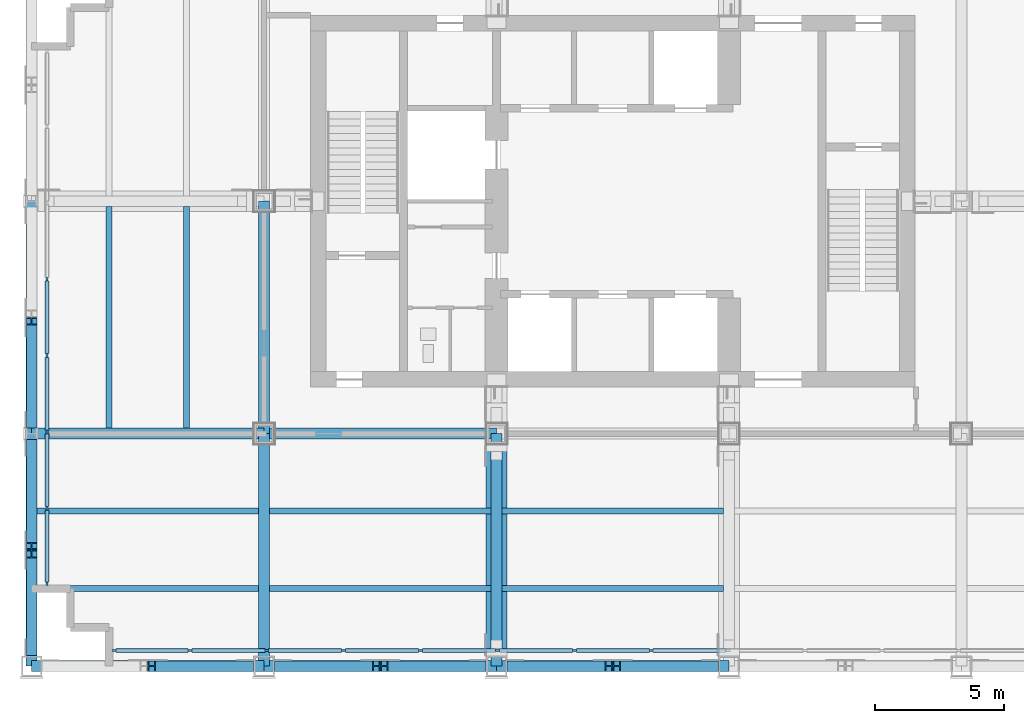
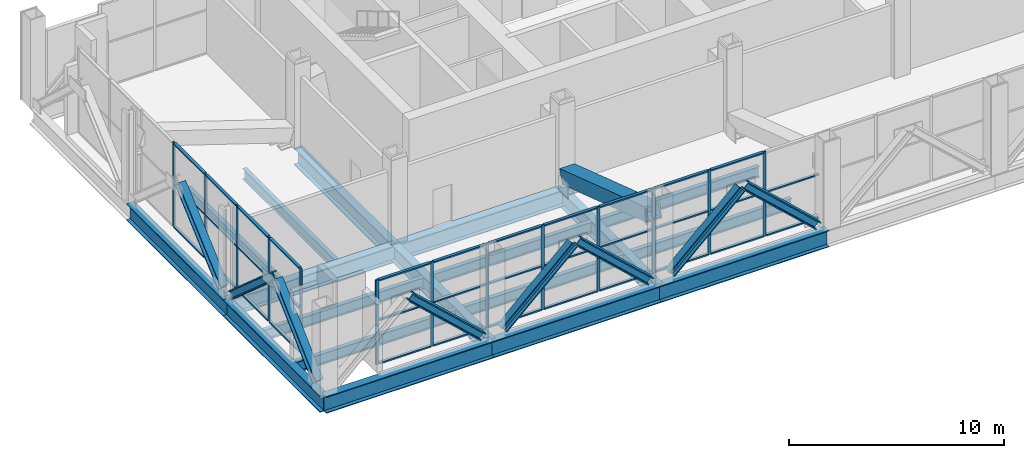
# One storey, part 2 of 13: 57 members, 18 beams, 2 elements without a shape of their own.
"""IFC4 building model written with IfcOpenShell, lengths in metres."""

import ifcopenshell
import ifcopenshell.guid

model = None  # the IFC model being written
_history = None  # IfcOwnerHistory: only IFC2X3 demands one
_inside = {}  # id of a spatial element -> (the spatial element, [elements in it])
_under = {}  # id of a project, library or spatial element -> (it, [spatial elements below it])
_declared = {}  # id of a project -> (the project, [libraries it declares])
_typed = {}  # id of a type object -> (the type object, [elements of that type])
_made_of = {}  # id of a material, layer set ... -> (it, [elements and type objects made of it])


def new_model(schema):
    """Start an empty IFC model of exactly this schema.

    Asked for "IFC4X3", IfcOpenShell would pick the latest addendum, in which some entities
    have other attributes; the version numbers below select the first issue.
    IFC2X3 requires an IfcOwnerHistory on every rooted entity: one is made here for all.
    """
    global model, _history
    if schema == "IFC4X3":
        model = ifcopenshell.file(schema_version=(4, 3, 0, 0))
    else:
        model = ifcopenshell.file(schema=schema)
    _inside.clear()
    _under.clear()
    _declared.clear()
    _typed.clear()
    _made_of.clear()
    _history = None
    if model.schema == "IFC2X3":
        org = make("IfcOrganization", Name="unknown")
        user = make(
            "IfcPersonAndOrganization",
            ThePerson=make("IfcPerson", FamilyName="unknown"),
            TheOrganization=org,
        )
        app = make(
            "IfcApplication",
            ApplicationDeveloper=org,
            Version="unknown",
            ApplicationFullName="unknown",
            ApplicationIdentifier="unknown",
        )
        _history = make(
            "IfcOwnerHistory",
            OwningUser=user,
            OwningApplication=app,
            ChangeAction="ADDED",
            CreationDate=0,
        )
    return model


def make(cls, **values):
    """One entity of the class cls with the attributes given. An attribute that is None is left unset."""
    return model.create_entity(
        cls, **{name: value for name, value in values.items() if value is not None}
    )


def rooted(cls, **values):
    """An entity with a GlobalId (a new one), such as an element, a storey or a relation."""
    return make(cls, GlobalId=ifcopenshell.guid.new(), OwnerHistory=_history, **values)


def si_unit(unit_type, name, prefix=None):
    """IfcSIUnit, for example si_unit("LENGTHUNIT", "METRE", prefix="MILLI")."""
    return make("IfcSIUnit", UnitType=unit_type, Prefix=prefix, Name=name)


def assignment(units):
    """IfcUnitAssignment: the units of a project."""
    return None if units is None else make("IfcUnitAssignment", Units=units)


def point(xyz):
    """IfcCartesianPoint."""
    return None if xyz is None else make("IfcCartesianPoint", Coordinates=xyz)


def direction(xyz):
    """IfcDirection."""
    return None if xyz is None else make("IfcDirection", DirectionRatios=xyz)


def frame(location, z_axis=None, x_axis=None):
    """IfcAxis2Placement3D, a coordinate frame: its origin and axes. An axis left out is left unset."""
    return make(
        "IfcAxis2Placement3D",
        Location=point(location),
        Axis=direction(z_axis),
        RefDirection=direction(x_axis),
    )


def frame_2d(location, x_axis=None):
    """IfcAxis2Placement2D, a coordinate frame in the plane: its origin and x axis."""
    return make(
        "IfcAxis2Placement2D", Location=point(location), RefDirection=direction(x_axis)
    )


def origin():
    """The frame at (0, 0, 0) with its axes left unset."""
    return frame((0.0, 0.0, 0.0))


def origin_2d():
    """The frame at (0, 0) in the plane with its x axis left unset."""
    return frame_2d((0.0, 0.0))


def place(relative_to, where):
    """IfcLocalPlacement: puts the frame where relative to a parent placement (None: the world)."""
    return make(
        "IfcLocalPlacement", PlacementRelTo=relative_to, RelativePlacement=where
    )


def context(
    kind, dimensions, precision=None, world=None, true_north=None, identifier=None
):
    """IfcGeometricRepresentationContext, for example the 3D "Model" context."""
    return make(
        "IfcGeometricRepresentationContext",
        ContextIdentifier=identifier,
        ContextType=kind,
        CoordinateSpaceDimension=dimensions,
        Precision=precision,
        WorldCoordinateSystem=world,
        TrueNorth=true_north,
    )


def subcontext(parent, identifier, kind, view, scale=None):
    """IfcGeometricRepresentationSubContext, for example "Body" below "Model"."""
    return make(
        "IfcGeometricRepresentationSubContext",
        ContextIdentifier=identifier,
        ContextType=kind,
        ParentContext=parent,
        TargetScale=scale,
        TargetView=view,
    )


def project(units=None, contexts=None):
    """IfcProject with its units and contexts."""
    return rooted(
        "IfcProject",
        Name="project",
        RepresentationContexts=contexts,
        UnitsInContext=assignment(units),
    )


def spatial(cls, under=None, at=None, **own):
    """A site, building, storey or space (cls), placed at a placement, below another one or the project."""
    s = rooted(cls, ObjectPlacement=at, **own)
    if under is not None:
        _under.setdefault(under.id(), (under, []))[1].append(s)
    return s


def profile(cls, at=None, kind="AREA", **sizes):
    """A parametric profile (cls). Its sizes go by their IFC names, for example OverallWidth=200.0."""
    return make(cls, ProfileType=kind, Position=at, **sizes)


def rectangle(**sizes):
    """IfcRectangleProfileDef."""
    return profile("IfcRectangleProfileDef", **sizes)


def hollow_rectangle(**sizes):
    """IfcRectangleHollowProfileDef."""
    return profile("IfcRectangleHollowProfileDef", **sizes)


def i_section(**sizes):
    """IfcIShapeProfileDef."""
    return profile("IfcIShapeProfileDef", **sizes)


def extrude(swept, where, along, depth):
    """IfcExtrudedAreaSolid: the profile swept, set in the frame where, extruded along a direction by depth."""
    return make(
        "IfcExtrudedAreaSolid",
        SweptArea=swept,
        Position=where,
        ExtrudedDirection=direction(along),
        Depth=depth,
    )


def shape(context_of_items, identifier, shape_type, items):
    """IfcShapeRepresentation: the items that make up one representation, for example the "Body"."""
    return make(
        "IfcShapeRepresentation",
        ContextOfItems=context_of_items,
        RepresentationIdentifier=identifier,
        RepresentationType=shape_type,
        Items=items,
    )


def material(Name=None, Category=None):
    """IfcMaterial."""
    return make("IfcMaterial", Name=Name, Category=Category)


def material_profile(
    of_material, cross_section, Name=None, Category=None, Priority=None
):
    """IfcMaterialProfile: a cross section and its material."""
    return make(
        "IfcMaterialProfile",
        Name=Name,
        Material=of_material,
        Profile=cross_section,
        Priority=Priority,
        Category=Category,
    )


def profile_set(profiles, Name=None, composite=None):
    """IfcMaterialProfileSet."""
    return make(
        "IfcMaterialProfileSet",
        Name=Name,
        MaterialProfiles=profiles,
        CompositeProfile=composite,
    )


def made_of(thing, what):
    """Note that an element or type object is made of a material, layer set ...; save() writes the relation."""
    if what is not None:
        _made_of.setdefault(what.id(), (what, []))[1].append(thing)
    return thing


def type_object(cls, material=None, **own):
    """A type object (cls), such as IfcWallType, which elements share."""
    return made_of(rooted(cls, **own), material)


def element(
    cls,
    number,
    at=None,
    inside=None,
    cuts=None,
    type_object=None,
    material=None,
    context=None,
    identifier="Body",
    shape_type=None,
    held_by="IfcProductDefinitionShape",
    body=None,
    shapes=None,
    **own,
):
    """One element of the class cls, such as IfcWall. Its Tag is "e" and its number.

    at: its placement. inside: the storey or other place that contains it. cuts: it is an
    opening in that element (IfcRelVoidsElement). A single representation is given by context,
    identifier, shape_type and body (its items); several are given by shapes. held_by: the class
    of the entity that holds the representations. save() writes the other relations.
    """
    e = rooted(cls, Tag="e%d" % number, ObjectPlacement=at, **own)
    if body is not None:
        shapes = [shape(context, identifier, shape_type, body)]
    if shapes is not None:
        e.Representation = make(held_by, Representations=shapes)
    if inside is not None:
        _inside.setdefault(inside.id(), (inside, []))[1].append(e)
    if cuts is not None:
        rooted(
            "IfcRelVoidsElement", RelatingBuildingElement=cuts, RelatedOpeningElement=e
        )
    if type_object is not None:
        _typed.setdefault(type_object.id(), (type_object, []))[1].append(e)
    return made_of(e, material)


def aggregate(whole, parts):
    """IfcRelAggregates: a whole, such as a stair, and the parts it consists of."""
    return rooted("IfcRelAggregates", RelatingObject=whole, RelatedObjects=parts)


def save(model, path):
    """Write the relations noted so far, then the file.

    IfcRelAggregates (storeys below a building ...), IfcRelContainedInSpatialStructure (elements
    in a storey), IfcRelDefinesByType, IfcRelAssociatesMaterial and IfcRelDeclares: one each for
    every whole, place, type object, material and project.
    """
    for whole, parts in _under.values():
        aggregate(whole, parts)
    for where, things in _inside.values():
        rooted(
            "IfcRelContainedInSpatialStructure",
            RelatedElements=things,
            RelatingStructure=where,
        )
    for kind, things in _typed.values():
        rooted("IfcRelDefinesByType", RelatedObjects=things, RelatingType=kind)
    for what, things in _made_of.values():
        rooted("IfcRelAssociatesMaterial", RelatedObjects=things, RelatingMaterial=what)
    for by, libraries in _declared.values():
        rooted("IfcRelDeclares", RelatingContext=by, RelatedDefinitions=libraries)
    model.write(path)


model = new_model("IFC4")

# Units and contexts
model_context = context("Model", 3, precision=1e-05, world=origin(), true_north=direction((0.0, 1.0)))
body_context = subcontext(model_context, "Body", "Model", "MODEL_VIEW")
ifc_project = project(units=[si_unit("LENGTHUNIT", "METRE"), si_unit("AREAUNIT", "SQUARE_METRE"), si_unit("VOLUMEUNIT", "CUBIC_METRE"), si_unit("PLANEANGLEUNIT", "RADIAN"), si_unit("MASSUNIT", "GRAM", prefix="KILO")], contexts=[model_context])

# Site, building, storey
site_placement = place(None, origin())
site = spatial("IfcSite", under=ifc_project, at=site_placement, CompositionType="ELEMENT")
building_placement = place(site_placement, origin())
building = spatial("IfcBuilding", under=site, at=building_placement, Name="Loomwork Tower", CompositionType="ELEMENT")
storey_placement = place(building_placement, frame((0.0, 0.0, 221.60009765625)))
storey = spatial("IfcBuildingStorey", under=building, at=storey_placement, Name="L61", CompositionType="ELEMENT", Elevation=221.60009765625)

# Beams
ifc_material_1 = material(Name="Steel ASTM A992", Category="steel")
ifc_material_profile_1 = material_profile(ifc_material_1, i_section(OverallWidth=0.424072265625, OverallDepth=0.947509765625, WebThickness=0.02392578125, FlangeThickness=0.042724609375, at=origin_2d()), Name="W36x302")
ifc_profile_set_1 = profile_set([ifc_material_profile_1], Name="Steel ASTM A992")
beam_type_1 = type_object("IfcBeamType", Name="BELT CHORD SPANDREL W36x302", PredefinedType="SPANDREL", material=ifc_profile_set_1)
for number, where, z_axis, x_axis, name in (
    (1, (0.0, 0.0, -0.723876953125), (1.0, 0.0, 0.0), (0.0, 1.0, 0.0), "Belt Chord Spandrel D/2-D/3 L61"),
    (2, (9.0, 0.0, -0.723876953125), (1.0, 0.0, 0.0), (0.0, 1.0, 0.0), "Belt Chord Spandrel D/3-D/4 L61"),
    (3, (18.0, 0.0, -0.723876953125), (1.0, 0.0, 0.0), (0.0, 1.0, 0.0), "Belt Chord Spandrel D/4-D/5 L61"),
    (4, (0.0, 0.0, -0.723876953125), (0.0, 1.0, 0.0), (-1.0, 0.0, 0.0), "Belt Chord Spandrel D/2-E/2 L61"),
    (5, (0.0, 9.0, -0.723876953125), (0.0, 1.0, 0.0), (-1.0, 0.0, 0.0), "Belt Chord Spandrel E/2-F/2 L61"),
):
    element("IfcBeam", number, at=place(storey_placement, frame(where, z_axis=z_axis, x_axis=x_axis)), inside=storey, type_object=beam_type_1, Name=name, PredefinedType="SPANDREL", context=body_context, shape_type="SweptSolid", body=[
        extrude(i_section(OverallWidth=0.424072265625, OverallDepth=0.947509765625, WebThickness=0.02392578125, FlangeThickness=0.042724609375, at=origin_2d()), origin(), (0.0, 0.0, 1.0), 9.0),
    ])

# Members
ifc_material_2 = material(Name="Steel ASTM A992", Category="steel")
ifc_material_profile_2 = material_profile(ifc_material_2, i_section(OverallWidth=0.411376953125, OverallDepth=0.434326171875, WebThickness=0.035888671875, FlangeThickness=0.057373046875, at=origin_2d()), Name="W14x311")
ifc_profile_set_2 = profile_set([ifc_material_profile_2], Name="Steel ASTM A992")
member_type_1 = type_object("IfcMemberType", Name="BELT TRUSS DIAGONAL W14x311", PredefinedType="BRACE", material=ifc_profile_set_2)
for number, where, z_axis, x_axis, name in (
    (6, (8.4423828125, 0.0, 0.169189453125), (-0.732985346521, 0.0, 0.680244427971), (0.0, -1.0, 0.0), "Belt truss diagonal D/2-D/3 L61"),
    (7, (9.5576171875, 0.0, 0.169189453125), (0.732985346521, 0.0, 0.680244427971), (0.0, 1.0, 0.0), "Belt truss diagonal D/3-D/4 L61"),
    (8, (17.4423828125, 0.0, 0.169189453125), (-0.732985346521, 0.0, 0.680244427971), (0.0, -1.0, 0.0), "Belt truss diagonal D/3-D/4 L61"),
    (9, (18.5576171875, 0.0, 0.169189453125), (0.732985346521, 0.0, 0.680244427971), (0.0, 1.0, 0.0), "Belt truss diagonal D/4-D/5 L61"),
    (10, (26.4423828125, 0.0, 0.169189453125), (-0.732985346521, 0.0, 0.680244427971), (0.0, -1.0, 0.0), "Belt truss diagonal D/4-D/5 L61"),
    (11, (0.0, 0.5576171875, 0.169189453125), (0.0, 0.732985346521, 0.680244427971), (-1.0, 0.0, 0.0), "Belt truss diagonal D/2-E/2 L61"),
):
    element("IfcMember", number, at=place(storey_placement, frame(where, z_axis=z_axis, x_axis=x_axis)), inside=storey, type_object=member_type_1, Name=name, PredefinedType="BRACE", context=body_context, shape_type="SweptSolid", body=[
        extrude(i_section(OverallWidth=0.411376953125, OverallDepth=0.434326171875, WebThickness=0.035888671875, FlangeThickness=0.057373046875, at=origin_2d()), origin(), (0.0, 0.0, 1.0), 5.166015625),
    ])
for number, where, z_axis, x_axis, name in (
    (12, (0.0, 8.633056640625, 0.1728515625), (0.0, -0.750440506123, 0.660938005239), (1.0, 0.0, 0.0), "Belt truss diagonal D/2-E/2 L61"),
    (13, (0.0, 9.366943359375, 0.1728515625), (0.0, 0.750440506123, 0.660938005239), (-1.0, 0.0, 0.0), "Belt truss diagonal E/2-F/2 L61"),
):
    element("IfcMember", number, at=place(storey_placement, frame(where, z_axis=z_axis, x_axis=x_axis)), inside=storey, type_object=member_type_1, Name=name, PredefinedType="BRACE", context=body_context, shape_type="SweptSolid", body=[
        extrude(i_section(OverallWidth=0.411376953125, OverallDepth=0.434326171875, WebThickness=0.035888671875, FlangeThickness=0.057373046875, at=origin_2d()), origin(), (0.0, 0.0, 1.0), 5.305419921875),
    ])
ifc_material_3 = material(Name="Steel ASTM A572 Grade 50 plate", Category="steel")
ifc_material_profile_3 = material_profile(ifc_material_3, hollow_rectangle(XDim=0.800048828125, YDim=0.800048828125, WallThickness=0.090087890625, at=origin_2d()), Name="BOX800x90")
ifc_profile_set_3 = profile_set([ifc_material_profile_3], Name="Steel ASTM A572 Grade 50 plate")
member_type_2 = type_object("IfcMemberType", Name="OUTRIGGER DIAGONAL BOX800x90", PredefinedType="BRACE", material=ifc_profile_set_3)
member_1_placement = place(storey_placement, frame((18.0, 0.5380859375, 3.460693359375), z_axis=(0.0, 0.949126861958, -0.314893950258), x_axis=(-1.0, 0.0, 0.0)))
element("IfcMember", 14, at=member_1_placement, inside=storey, type_object=member_type_2, Name="Outrigger diagonal D/4 L61", PredefinedType="BRACE", context=body_context, shape_type="SweptSolid", body=[
    extrude(hollow_rectangle(XDim=0.800048828125, YDim=0.800048828125, WallThickness=0.090087890625, at=origin_2d()), origin(), (0.0, 0.0, 1.0), 8.3486328125),
])

# Beams
ifc_material_4 = material(Name="Steel ASTM A992", Category="steel")
ifc_material_profile_4 = material_profile(ifc_material_4, i_section(OverallWidth=0.4267578125, OverallDepth=0.939697265625, WebThickness=0.028564453125, FlangeThickness=0.050537109375, at=origin_2d()), Name="W36x361")
ifc_profile_set_4 = profile_set([ifc_material_profile_4], Name="Steel ASTM A992")
beam_type_2 = type_object("IfcBeamType", Name="OUTRIGGER FLOOR GIRDER W36x361", PredefinedType="BEAM", material=ifc_profile_set_4)
for number, where, z_axis, x_axis, name in (
    (15, (0.0, 9.0, -0.719970703125), (1.0, 0.0, 0.0), (0.0, 1.0, 0.0), "Outrigger Floor Girder E/2-E/3 L61"),
    (16, (9.0, 9.0, -0.719970703125), (1.0, 0.0, 0.0), (0.0, 1.0, 0.0), "Outrigger Floor Girder E/3-E/4 L61"),
    (17, (9.0, 0.0, -0.719970703125), (0.0, 1.0, 0.0), (-1.0, 0.0, 0.0), "Outrigger Floor Girder D/3-E/3 L61"),
    (18, (9.0, 9.0, -0.719970703125), (0.0, 1.0, 0.0), (-1.0, 0.0, 0.0), "Outrigger Floor Girder E/3-F/3 L61"),
):
    element("IfcBeam", number, at=place(storey_placement, frame(where, z_axis=z_axis, x_axis=x_axis)), inside=storey, type_object=beam_type_2, Name=name, PredefinedType="BEAM", context=body_context, shape_type="SweptSolid", body=[
        extrude(i_section(OverallWidth=0.4267578125, OverallDepth=0.939697265625, WebThickness=0.028564453125, FlangeThickness=0.050537109375, at=origin_2d()), origin(), (0.0, 0.0, 1.0), 9.0),
    ])
ifc_material_5 = material(Name="Steel ASTM A992", Category="steel")
ifc_material_profile_5 = material_profile(ifc_material_5, i_section(OverallWidth=0.424072265625, OverallDepth=0.947509765625, WebThickness=0.02392578125, FlangeThickness=0.042724609375, at=origin_2d()), Name="W36x302")
ifc_profile_set_5 = profile_set([ifc_material_profile_5], Name="Steel ASTM A992")
beam_type_3 = type_object("IfcBeamType", Name="OUTRIGGER GIRDER W36x302", PredefinedType="BEAM", material=ifc_profile_set_5)
beam_placement = place(storey_placement, frame((18.0, 0.0, -0.723876953125), z_axis=(0.0, 1.0, 0.0), x_axis=(-1.0, 0.0, 0.0)))
element("IfcBeam", 19, at=beam_placement, inside=storey, type_object=beam_type_3, Name="Outrigger Girder D/4-E/4 L61", PredefinedType="BEAM", context=body_context, shape_type="SweptSolid", body=[
    extrude(i_section(OverallWidth=0.424072265625, OverallDepth=0.947509765625, WebThickness=0.02392578125, FlangeThickness=0.042724609375, at=origin_2d()), origin(), (0.0, 0.0, 1.0), 9.0),
])
ifc_material_6 = material(Name="Steel ASTM A992", Category="steel")
ifc_material_profile_6 = material_profile(ifc_material_6, i_section(OverallWidth=0.228271484375, OverallDepth=0.607177734375, WebThickness=0.01123046875, FlangeThickness=0.017333984375, at=origin_2d()), Name="W24x76")
ifc_profile_set_6 = profile_set([ifc_material_profile_6], Name="Steel ASTM A992")
beam_type_4 = type_object("IfcBeamType", Name="PLANT FLOOR JOIST W24x76", PredefinedType="JOIST", material=ifc_profile_set_6)
for number, where, z_axis, x_axis, name in (
    (20, (0.2119140625, 3.0, -0.5537109375), (1.0, 0.0, 0.0), (0.0, 1.0, 0.0), "Plant Floor Joist 0.000,3.000-9.000,3.000 L61"),
    (21, (0.2119140625, 6.0, -0.5537109375), (1.0, 0.0, 0.0), (0.0, 1.0, 0.0), "Plant Floor Joist 0.000,6.000-9.000,6.000 L61"),
    (22, (3.0, 9.212890625, -0.5537109375), (0.0, 1.0, 0.0), (-1.0, 0.0, 0.0), "Plant Floor Joist 3.000,9.000-3.000,18.000 L61"),
    (23, (6.0, 9.212890625, -0.5537109375), (0.0, 1.0, 0.0), (-1.0, 0.0, 0.0), "Plant Floor Joist 6.000,9.000-6.000,18.000 L61"),
    (24, (9.212890625, 3.0, -0.5537109375), (1.0, 0.0, 0.0), (0.0, 1.0, 0.0), "Plant Floor Joist 9.000,3.000-18.000,3.000 L61"),
    (25, (9.212890625, 6.0, -0.5537109375), (1.0, 0.0, 0.0), (0.0, 1.0, 0.0), "Plant Floor Joist 9.000,6.000-18.000,6.000 L61"),
):
    element("IfcBeam", number, at=place(storey_placement, frame(where, z_axis=z_axis, x_axis=x_axis)), inside=storey, type_object=beam_type_4, Name=name, PredefinedType="JOIST", context=body_context, shape_type="SweptSolid", body=[
        extrude(i_section(OverallWidth=0.228271484375, OverallDepth=0.607177734375, WebThickness=0.01123046875, FlangeThickness=0.017333984375, at=origin_2d()), origin(), (0.0, 0.0, 1.0), 8.5751953125),
    ])
for number, where, z_axis, x_axis, name in (
    (26, (18.2119140625, 3.0, -0.5537109375), (1.0, 0.0, 0.0), (0.0, 1.0, 0.0), "Plant Floor Joist 18.000,3.000-27.000,3.000 L61"),
    (27, (18.2119140625, 6.0, -0.5537109375), (1.0, 0.0, 0.0), (0.0, 1.0, 0.0), "Plant Floor Joist 18.000,6.000-27.000,6.000 L61"),
):
    element("IfcBeam", number, at=place(storey_placement, frame(where, z_axis=z_axis, x_axis=x_axis)), inside=storey, type_object=beam_type_4, Name=name, PredefinedType="JOIST", context=body_context, shape_type="SweptSolid", body=[
        extrude(i_section(OverallWidth=0.228271484375, OverallDepth=0.607177734375, WebThickness=0.01123046875, FlangeThickness=0.017333984375, at=origin_2d()), origin(), (0.0, 0.0, 1.0), 8.576171875),
    ])

# Curtain wall, members
ifc_material_7 = material(Name="Aluminium louvre frame", Category="aluminium")
curtain_wall_type = type_object("IfcCurtainWallType", Name="Plant floor louvre screen", PredefinedType="NOTDEFINED", material=ifc_material_7)
curtain_wall_1_placement = place(storey_placement, origin())
curtain_wall_1 = element("IfcCurtainWall", 28, at=curtain_wall_1_placement, inside=storey, type_object=curtain_wall_type, Name="Plant floor louvre screen cw/S", PredefinedType="NOTDEFINED")
ifc_material_8 = material(Name="Aluminium louvre frame", Category="aluminium")
ifc_material_profile_7 = material_profile(ifc_material_8, rectangle(XDim=0.080078125, YDim=0.14990234375, at=origin_2d()), Name="AL 80x150")
ifc_profile_set_7 = profile_set([ifc_material_profile_7], Name="Aluminium louvre frame")
member_type_3 = type_object("IfcMemberType", Name="Plant floor louvre screen mullion", PredefinedType="MULLION", material=ifc_profile_set_7)
member_2_placement = place(storey_placement, frame((3.18994140625, 0.60009765625, 0.0), z_axis=(0.0, 0.0, 1.0), x_axis=(0.0, 1.0, 0.0)))
member_2 = element("IfcMember", 29, at=member_2_placement, type_object=member_type_3, Name="CW4 mullion 1", PredefinedType="MULLION", context=body_context, shape_type="SweptSolid", body=[
    extrude(rectangle(XDim=0.080078125, YDim=0.14990234375, at=origin_2d()), origin(), (0.0, 0.0, 1.0), 4.7998046875),
])
member_3_placement = place(storey_placement, frame((6.126953125, 0.60009765625, 0.0), z_axis=(0.0, 0.0, 1.0), x_axis=(0.0, 1.0, 0.0)))
member_3 = element("IfcMember", 30, at=member_3_placement, type_object=member_type_3, Name="CW4 mullion 2", PredefinedType="MULLION", context=body_context, shape_type="SweptSolid", body=[
    extrude(rectangle(XDim=0.080078125, YDim=0.14990234375, at=origin_2d()), origin(), (0.0, 0.0, 1.0), 4.7998046875),
])
member_4_placement = place(storey_placement, frame((9.103759765625, 0.60009765625, 0.0), z_axis=(0.0, 0.0, 1.0), x_axis=(0.0, 1.0, 0.0)))
member_4 = element("IfcMember", 31, at=member_4_placement, type_object=member_type_3, Name="CW4 mullion 3", PredefinedType="MULLION", context=body_context, shape_type="SweptSolid", body=[
    extrude(rectangle(XDim=0.080078125, YDim=0.14990234375, at=origin_2d()), origin(), (0.0, 0.0, 1.0), 4.7998046875),
])
member_5_placement = place(storey_placement, frame((12.080810546875, 0.60009765625, 0.0), z_axis=(0.0, 0.0, 1.0), x_axis=(0.0, 1.0, 0.0)))
member_5 = element("IfcMember", 32, at=member_5_placement, type_object=member_type_3, Name="CW4 mullion 4", PredefinedType="MULLION", context=body_context, shape_type="SweptSolid", body=[
    extrude(rectangle(XDim=0.080078125, YDim=0.14990234375, at=origin_2d()), origin(), (0.0, 0.0, 1.0), 4.7998046875),
])
member_6_placement = place(storey_placement, frame((15.0576171875, 0.60009765625, 0.0), z_axis=(0.0, 0.0, 1.0), x_axis=(0.0, 1.0, 0.0)))
member_6 = element("IfcMember", 33, at=member_6_placement, type_object=member_type_3, Name="CW4 mullion 5", PredefinedType="MULLION", context=body_context, shape_type="SweptSolid", body=[
    extrude(rectangle(XDim=0.080078125, YDim=0.14990234375, at=origin_2d()), origin(), (0.0, 0.0, 1.0), 4.7998046875),
])
member_7_placement = place(storey_placement, frame((18.03466796875, 0.60009765625, 0.0), z_axis=(0.0, 0.0, 1.0), x_axis=(0.0, 1.0, 0.0)))
member_7 = element("IfcMember", 34, at=member_7_placement, type_object=member_type_3, Name="CW4 mullion 6", PredefinedType="MULLION", context=body_context, shape_type="SweptSolid", body=[
    extrude(rectangle(XDim=0.080078125, YDim=0.14990234375, at=origin_2d()), origin(), (0.0, 0.0, 1.0), 4.7998046875),
])
member_8_placement = place(storey_placement, frame((21.011474609375, 0.60009765625, 0.0), z_axis=(0.0, 0.0, 1.0), x_axis=(0.0, 1.0, 0.0)))
member_8 = element("IfcMember", 35, at=member_8_placement, type_object=member_type_3, Name="CW4 mullion 7", PredefinedType="MULLION", context=body_context, shape_type="SweptSolid", body=[
    extrude(rectangle(XDim=0.080078125, YDim=0.14990234375, at=origin_2d()), origin(), (0.0, 0.0, 1.0), 4.7998046875),
])
member_9_placement = place(storey_placement, frame((23.988525390625, 0.60009765625, 0.0), z_axis=(0.0, 0.0, 1.0), x_axis=(0.0, 1.0, 0.0)))
member_9 = element("IfcMember", 36, at=member_9_placement, type_object=member_type_3, Name="CW4 mullion 8", PredefinedType="MULLION", context=body_context, shape_type="SweptSolid", body=[
    extrude(rectangle(XDim=0.080078125, YDim=0.14990234375, at=origin_2d()), origin(), (0.0, 0.0, 1.0), 4.7998046875),
])

curtain_wall_2_placement = place(storey_placement, origin())
curtain_wall_2 = element("IfcCurtainWall", 37, at=curtain_wall_2_placement, inside=storey, type_object=curtain_wall_type, Name="Plant floor louvre screen cw/W", PredefinedType="NOTDEFINED")
member_10_placement = place(storey_placement, frame((0.60009765625, 14.978515625, 0.0), z_axis=(0.0, 0.0, 1.0), x_axis=(1.0, 0.0, 0.0)))
member_10 = element("IfcMember", 38, at=member_10_placement, type_object=member_type_3, Name="CW4 mullion 4", PredefinedType="MULLION", context=body_context, shape_type="SweptSolid", body=[
    extrude(rectangle(XDim=0.080078125, YDim=0.14990234375, at=origin_2d()), origin(), (0.0, 0.0, 1.0), 4.7998046875),
])
member_11_placement = place(storey_placement, frame((0.60009765625, 12.021484375, 0.0), z_axis=(0.0, 0.0, 1.0), x_axis=(1.0, 0.0, 0.0)))
member_11 = element("IfcMember", 39, at=member_11_placement, type_object=member_type_3, Name="CW4 mullion 5", PredefinedType="MULLION", context=body_context, shape_type="SweptSolid", body=[
    extrude(rectangle(XDim=0.080078125, YDim=0.14990234375, at=origin_2d()), origin(), (0.0, 0.0, 1.0), 4.7998046875),
])
member_12_placement = place(storey_placement, frame((0.60009765625, 9.064208984375, 0.0), z_axis=(0.0, 0.0, 1.0), x_axis=(1.0, 0.0, 0.0)))
member_12 = element("IfcMember", 40, at=member_12_placement, type_object=member_type_3, Name="CW4 mullion 6", PredefinedType="MULLION", context=body_context, shape_type="SweptSolid", body=[
    extrude(rectangle(XDim=0.080078125, YDim=0.14990234375, at=origin_2d()), origin(), (0.0, 0.0, 1.0), 4.7998046875),
])
member_13_placement = place(storey_placement, frame((0.60009765625, 6.107177734375, 0.0), z_axis=(0.0, 0.0, 1.0), x_axis=(1.0, 0.0, 0.0)))
member_13 = element("IfcMember", 41, at=member_13_placement, type_object=member_type_3, Name="CW4 mullion 7", PredefinedType="MULLION", context=body_context, shape_type="SweptSolid", body=[
    extrude(rectangle(XDim=0.080078125, YDim=0.14990234375, at=origin_2d()), origin(), (0.0, 0.0, 1.0), 4.7998046875),
])
member_14_placement = place(storey_placement, frame((0.60009765625, 3.18994140625, 0.0), z_axis=(0.0, 0.0, 1.0), x_axis=(1.0, 0.0, 0.0)))
member_14 = element("IfcMember", 42, at=member_14_placement, type_object=member_type_3, Name="CW4 mullion 8", PredefinedType="MULLION", context=body_context, shape_type="SweptSolid", body=[
    extrude(rectangle(XDim=0.080078125, YDim=0.14990234375, at=origin_2d()), origin(), (0.0, 0.0, 1.0), 4.7998046875),
])

# Member
ifc_material_9 = material(Name="Aluminium louvre frame", Category="aluminium")
ifc_material_profile_8 = material_profile(ifc_material_9, rectangle(XDim=0.14990234375, YDim=0.080078125, at=origin_2d()), Name="AL 80x150")
ifc_profile_set_8 = profile_set([ifc_material_profile_8], Name="Aluminium louvre frame")
member_type_4 = type_object("IfcMemberType", Name="Plant floor louvre screen transom", PredefinedType="USERDEFINED", material=ifc_profile_set_8)
member_15_placement = place(storey_placement, frame((3.264892578125, 0.60009765625, 0.039794921875), z_axis=(1.0, 0.0, 0.0), x_axis=(0.0, 1.0, 0.0)))
member_15 = element("IfcMember", 43, at=member_15_placement, type_object=member_type_4, Name="CW4 transom 1.1", ObjectType="TRANSOM", PredefinedType="USERDEFINED", context=body_context, shape_type="SweptSolid", body=[
    extrude(rectangle(XDim=0.14990234375, YDim=0.080078125, at=origin_2d()), origin(), (0.0, 0.0, 1.0), 2.787109375),
])

member_16_placement = place(storey_placement, frame((3.264892578125, 0.60009765625, 2.5), z_axis=(1.0, 0.0, 0.0), x_axis=(0.0, 1.0, 0.0)))
member_16 = element("IfcMember", 44, at=member_16_placement, type_object=member_type_4, Name="CW4 transom 1.2", ObjectType="TRANSOM", PredefinedType="USERDEFINED", context=body_context, shape_type="SweptSolid", body=[
    extrude(rectangle(XDim=0.14990234375, YDim=0.080078125, at=origin_2d()), origin(), (0.0, 0.0, 1.0), 2.787109375),
])

member_17_placement = place(storey_placement, frame((3.264892578125, 0.60009765625, 4.760009765625), z_axis=(1.0, 0.0, 0.0), x_axis=(0.0, 1.0, 0.0)))
member_17 = element("IfcMember", 45, at=member_17_placement, type_object=member_type_4, Name="CW4 transom 1.3", ObjectType="TRANSOM", PredefinedType="USERDEFINED", context=body_context, shape_type="SweptSolid", body=[
    extrude(rectangle(XDim=0.14990234375, YDim=0.080078125, at=origin_2d()), origin(), (0.0, 0.0, 1.0), 2.787109375),
])

member_18_placement = place(storey_placement, frame((6.201904296875, 0.60009765625, 0.039794921875), z_axis=(1.0, 0.0, 0.0), x_axis=(0.0, 1.0, 0.0)))
member_18 = element("IfcMember", 46, at=member_18_placement, type_object=member_type_4, Name="CW4 transom 2.1", ObjectType="TRANSOM", PredefinedType="USERDEFINED", context=body_context, shape_type="SweptSolid", body=[
    extrude(rectangle(XDim=0.14990234375, YDim=0.080078125, at=origin_2d()), origin(), (0.0, 0.0, 1.0), 2.826904296875),
])

member_19_placement = place(storey_placement, frame((6.201904296875, 0.60009765625, 2.5), z_axis=(1.0, 0.0, 0.0), x_axis=(0.0, 1.0, 0.0)))
member_19 = element("IfcMember", 47, at=member_19_placement, type_object=member_type_4, Name="CW4 transom 2.2", ObjectType="TRANSOM", PredefinedType="USERDEFINED", context=body_context, shape_type="SweptSolid", body=[
    extrude(rectangle(XDim=0.14990234375, YDim=0.080078125, at=origin_2d()), origin(), (0.0, 0.0, 1.0), 2.826904296875),
])

member_20_placement = place(storey_placement, frame((6.201904296875, 0.60009765625, 4.760009765625), z_axis=(1.0, 0.0, 0.0), x_axis=(0.0, 1.0, 0.0)))
member_20 = element("IfcMember", 48, at=member_20_placement, type_object=member_type_4, Name="CW4 transom 2.3", ObjectType="TRANSOM", PredefinedType="USERDEFINED", context=body_context, shape_type="SweptSolid", body=[
    extrude(rectangle(XDim=0.14990234375, YDim=0.080078125, at=origin_2d()), origin(), (0.0, 0.0, 1.0), 2.826904296875),
])

member_21_placement = place(storey_placement, frame((9.178955078125, 0.60009765625, 0.039794921875), z_axis=(1.0, 0.0, 0.0), x_axis=(0.0, 1.0, 0.0)))
member_21 = element("IfcMember", 49, at=member_21_placement, type_object=member_type_4, Name="CW4 transom 3.1", ObjectType="TRANSOM", PredefinedType="USERDEFINED", context=body_context, shape_type="SweptSolid", body=[
    extrude(rectangle(XDim=0.14990234375, YDim=0.080078125, at=origin_2d()), origin(), (0.0, 0.0, 1.0), 2.826904296875),
])

member_22_placement = place(storey_placement, frame((9.178955078125, 0.60009765625, 2.5), z_axis=(1.0, 0.0, 0.0), x_axis=(0.0, 1.0, 0.0)))
member_22 = element("IfcMember", 50, at=member_22_placement, type_object=member_type_4, Name="CW4 transom 3.2", ObjectType="TRANSOM", PredefinedType="USERDEFINED", context=body_context, shape_type="SweptSolid", body=[
    extrude(rectangle(XDim=0.14990234375, YDim=0.080078125, at=origin_2d()), origin(), (0.0, 0.0, 1.0), 2.826904296875),
])

member_23_placement = place(storey_placement, frame((9.178955078125, 0.60009765625, 4.760009765625), z_axis=(1.0, 0.0, 0.0), x_axis=(0.0, 1.0, 0.0)))
member_23 = element("IfcMember", 51, at=member_23_placement, type_object=member_type_4, Name="CW4 transom 3.3", ObjectType="TRANSOM", PredefinedType="USERDEFINED", context=body_context, shape_type="SweptSolid", body=[
    extrude(rectangle(XDim=0.14990234375, YDim=0.080078125, at=origin_2d()), origin(), (0.0, 0.0, 1.0), 2.826904296875),
])

member_24_placement = place(storey_placement, frame((12.15576171875, 0.60009765625, 0.039794921875), z_axis=(1.0, 0.0, 0.0), x_axis=(0.0, 1.0, 0.0)))
member_24 = element("IfcMember", 52, at=member_24_placement, type_object=member_type_4, Name="CW4 transom 4.1", ObjectType="TRANSOM", PredefinedType="USERDEFINED", context=body_context, shape_type="SweptSolid", body=[
    extrude(rectangle(XDim=0.14990234375, YDim=0.080078125, at=origin_2d()), origin(), (0.0, 0.0, 1.0), 2.826904296875),
])

member_25_placement = place(storey_placement, frame((12.15576171875, 0.60009765625, 2.5), z_axis=(1.0, 0.0, 0.0), x_axis=(0.0, 1.0, 0.0)))
member_25 = element("IfcMember", 53, at=member_25_placement, type_object=member_type_4, Name="CW4 transom 4.2", ObjectType="TRANSOM", PredefinedType="USERDEFINED", context=body_context, shape_type="SweptSolid", body=[
    extrude(rectangle(XDim=0.14990234375, YDim=0.080078125, at=origin_2d()), origin(), (0.0, 0.0, 1.0), 2.826904296875),
])

member_26_placement = place(storey_placement, frame((12.15576171875, 0.60009765625, 4.760009765625), z_axis=(1.0, 0.0, 0.0), x_axis=(0.0, 1.0, 0.0)))
member_26 = element("IfcMember", 54, at=member_26_placement, type_object=member_type_4, Name="CW4 transom 4.3", ObjectType="TRANSOM", PredefinedType="USERDEFINED", context=body_context, shape_type="SweptSolid", body=[
    extrude(rectangle(XDim=0.14990234375, YDim=0.080078125, at=origin_2d()), origin(), (0.0, 0.0, 1.0), 2.826904296875),
])

member_27_placement = place(storey_placement, frame((15.1328125, 0.60009765625, 0.039794921875), z_axis=(1.0, 0.0, 0.0), x_axis=(0.0, 1.0, 0.0)))
member_27 = element("IfcMember", 55, at=member_27_placement, type_object=member_type_4, Name="CW4 transom 5.1", ObjectType="TRANSOM", PredefinedType="USERDEFINED", context=body_context, shape_type="SweptSolid", body=[
    extrude(rectangle(XDim=0.14990234375, YDim=0.080078125, at=origin_2d()), origin(), (0.0, 0.0, 1.0), 2.826904296875),
])

member_28_placement = place(storey_placement, frame((15.1328125, 0.60009765625, 2.5), z_axis=(1.0, 0.0, 0.0), x_axis=(0.0, 1.0, 0.0)))
member_28 = element("IfcMember", 56, at=member_28_placement, type_object=member_type_4, Name="CW4 transom 5.2", ObjectType="TRANSOM", PredefinedType="USERDEFINED", context=body_context, shape_type="SweptSolid", body=[
    extrude(rectangle(XDim=0.14990234375, YDim=0.080078125, at=origin_2d()), origin(), (0.0, 0.0, 1.0), 2.826904296875),
])

member_29_placement = place(storey_placement, frame((15.1328125, 0.60009765625, 4.760009765625), z_axis=(1.0, 0.0, 0.0), x_axis=(0.0, 1.0, 0.0)))
member_29 = element("IfcMember", 57, at=member_29_placement, type_object=member_type_4, Name="CW4 transom 5.3", ObjectType="TRANSOM", PredefinedType="USERDEFINED", context=body_context, shape_type="SweptSolid", body=[
    extrude(rectangle(XDim=0.14990234375, YDim=0.080078125, at=origin_2d()), origin(), (0.0, 0.0, 1.0), 2.826904296875),
])

member_30_placement = place(storey_placement, frame((18.109619140625, 0.60009765625, 0.039794921875), z_axis=(1.0, 0.0, 0.0), x_axis=(0.0, 1.0, 0.0)))
member_30 = element("IfcMember", 58, at=member_30_placement, type_object=member_type_4, Name="CW4 transom 6.1", ObjectType="TRANSOM", PredefinedType="USERDEFINED", context=body_context, shape_type="SweptSolid", body=[
    extrude(rectangle(XDim=0.14990234375, YDim=0.080078125, at=origin_2d()), origin(), (0.0, 0.0, 1.0), 2.826904296875),
])

member_31_placement = place(storey_placement, frame((18.109619140625, 0.60009765625, 2.5), z_axis=(1.0, 0.0, 0.0), x_axis=(0.0, 1.0, 0.0)))
member_31 = element("IfcMember", 59, at=member_31_placement, type_object=member_type_4, Name="CW4 transom 6.2", ObjectType="TRANSOM", PredefinedType="USERDEFINED", context=body_context, shape_type="SweptSolid", body=[
    extrude(rectangle(XDim=0.14990234375, YDim=0.080078125, at=origin_2d()), origin(), (0.0, 0.0, 1.0), 2.826904296875),
])

member_32_placement = place(storey_placement, frame((18.109619140625, 0.60009765625, 4.760009765625), z_axis=(1.0, 0.0, 0.0), x_axis=(0.0, 1.0, 0.0)))
member_32 = element("IfcMember", 60, at=member_32_placement, type_object=member_type_4, Name="CW4 transom 6.3", ObjectType="TRANSOM", PredefinedType="USERDEFINED", context=body_context, shape_type="SweptSolid", body=[
    extrude(rectangle(XDim=0.14990234375, YDim=0.080078125, at=origin_2d()), origin(), (0.0, 0.0, 1.0), 2.826904296875),
])

member_33_placement = place(storey_placement, frame((21.08642578125, 0.60009765625, 0.039794921875), z_axis=(1.0, 0.0, 0.0), x_axis=(0.0, 1.0, 0.0)))
member_33 = element("IfcMember", 61, at=member_33_placement, type_object=member_type_4, Name="CW4 transom 7.1", ObjectType="TRANSOM", PredefinedType="USERDEFINED", context=body_context, shape_type="SweptSolid", body=[
    extrude(rectangle(XDim=0.14990234375, YDim=0.080078125, at=origin_2d()), origin(), (0.0, 0.0, 1.0), 2.8271484375),
])

member_34_placement = place(storey_placement, frame((21.08642578125, 0.60009765625, 2.5), z_axis=(1.0, 0.0, 0.0), x_axis=(0.0, 1.0, 0.0)))
member_34 = element("IfcMember", 62, at=member_34_placement, type_object=member_type_4, Name="CW4 transom 7.2", ObjectType="TRANSOM", PredefinedType="USERDEFINED", context=body_context, shape_type="SweptSolid", body=[
    extrude(rectangle(XDim=0.14990234375, YDim=0.080078125, at=origin_2d()), origin(), (0.0, 0.0, 1.0), 2.8271484375),
])

member_35_placement = place(storey_placement, frame((21.08642578125, 0.60009765625, 4.760009765625), z_axis=(1.0, 0.0, 0.0), x_axis=(0.0, 1.0, 0.0)))
member_35 = element("IfcMember", 63, at=member_35_placement, type_object=member_type_4, Name="CW4 transom 7.3", ObjectType="TRANSOM", PredefinedType="USERDEFINED", context=body_context, shape_type="SweptSolid", body=[
    extrude(rectangle(XDim=0.14990234375, YDim=0.080078125, at=origin_2d()), origin(), (0.0, 0.0, 1.0), 2.8271484375),
])

member_36_placement = place(storey_placement, frame((24.0634765625, 0.60009765625, 0.039794921875), z_axis=(1.0, 0.0, 0.0), x_axis=(0.0, 1.0, 0.0)))
member_36 = element("IfcMember", 64, at=member_36_placement, type_object=member_type_4, Name="CW4 transom 8.1", ObjectType="TRANSOM", PredefinedType="USERDEFINED", context=body_context, shape_type="SweptSolid", body=[
    extrude(rectangle(XDim=0.14990234375, YDim=0.080078125, at=origin_2d()), origin(), (0.0, 0.0, 1.0), 2.826904296875),
])

member_37_placement = place(storey_placement, frame((24.0634765625, 0.60009765625, 2.5), z_axis=(1.0, 0.0, 0.0), x_axis=(0.0, 1.0, 0.0)))
member_37 = element("IfcMember", 65, at=member_37_placement, type_object=member_type_4, Name="CW4 transom 8.2", ObjectType="TRANSOM", PredefinedType="USERDEFINED", context=body_context, shape_type="SweptSolid", body=[
    extrude(rectangle(XDim=0.14990234375, YDim=0.080078125, at=origin_2d()), origin(), (0.0, 0.0, 1.0), 2.826904296875),
])

aggregate(curtain_wall_1, [member_2, member_3, member_4, member_5, member_6, member_7, member_8, member_9, member_15, member_16, member_17, member_18, member_19, member_20, member_21, member_22, member_23, member_24, member_25, member_26, member_27, member_28, member_29, member_30, member_31, member_32, member_33, member_34, member_35, member_36, member_37])

member_38_placement = place(storey_placement, frame((0.60009765625, 14.903564453125, 0.039794921875), z_axis=(0.0, -1.0, 0.0), x_axis=(1.0, 0.0, 0.0)))
member_38 = element("IfcMember", 66, at=member_38_placement, type_object=member_type_4, Name="CW4 transom 4.1", ObjectType="TRANSOM", PredefinedType="USERDEFINED", context=body_context, shape_type="SweptSolid", body=[
    extrude(rectangle(XDim=0.14990234375, YDim=0.080078125, at=origin_2d()), origin(), (0.0, 0.0, 1.0), 2.80712890625),
])

member_39_placement = place(storey_placement, frame((0.60009765625, 14.903564453125, 2.5), z_axis=(0.0, -1.0, 0.0), x_axis=(1.0, 0.0, 0.0)))
member_39 = element("IfcMember", 67, at=member_39_placement, type_object=member_type_4, Name="CW4 transom 4.2", ObjectType="TRANSOM", PredefinedType="USERDEFINED", context=body_context, shape_type="SweptSolid", body=[
    extrude(rectangle(XDim=0.14990234375, YDim=0.080078125, at=origin_2d()), origin(), (0.0, 0.0, 1.0), 2.80712890625),
])

member_40_placement = place(storey_placement, frame((0.60009765625, 14.903564453125, 4.760009765625), z_axis=(0.0, -1.0, 0.0), x_axis=(1.0, 0.0, 0.0)))
member_40 = element("IfcMember", 68, at=member_40_placement, type_object=member_type_4, Name="CW4 transom 4.3", ObjectType="TRANSOM", PredefinedType="USERDEFINED", context=body_context, shape_type="SweptSolid", body=[
    extrude(rectangle(XDim=0.14990234375, YDim=0.080078125, at=origin_2d()), origin(), (0.0, 0.0, 1.0), 2.80712890625),
])

member_41_placement = place(storey_placement, frame((0.60009765625, 11.946533203125, 0.039794921875), z_axis=(0.0, -1.0, 0.0), x_axis=(1.0, 0.0, 0.0)))
member_41 = element("IfcMember", 69, at=member_41_placement, type_object=member_type_4, Name="CW4 transom 5.1", ObjectType="TRANSOM", PredefinedType="USERDEFINED", context=body_context, shape_type="SweptSolid", body=[
    extrude(rectangle(XDim=0.14990234375, YDim=0.080078125, at=origin_2d()), origin(), (0.0, 0.0, 1.0), 2.80712890625),
])

member_42_placement = place(storey_placement, frame((0.60009765625, 11.946533203125, 2.5), z_axis=(0.0, -1.0, 0.0), x_axis=(1.0, 0.0, 0.0)))
member_42 = element("IfcMember", 70, at=member_42_placement, type_object=member_type_4, Name="CW4 transom 5.2", ObjectType="TRANSOM", PredefinedType="USERDEFINED", context=body_context, shape_type="SweptSolid", body=[
    extrude(rectangle(XDim=0.14990234375, YDim=0.080078125, at=origin_2d()), origin(), (0.0, 0.0, 1.0), 2.80712890625),
])

member_43_placement = place(storey_placement, frame((0.60009765625, 11.946533203125, 4.760009765625), z_axis=(0.0, -1.0, 0.0), x_axis=(1.0, 0.0, 0.0)))
member_43 = element("IfcMember", 71, at=member_43_placement, type_object=member_type_4, Name="CW4 transom 5.3", ObjectType="TRANSOM", PredefinedType="USERDEFINED", context=body_context, shape_type="SweptSolid", body=[
    extrude(rectangle(XDim=0.14990234375, YDim=0.080078125, at=origin_2d()), origin(), (0.0, 0.0, 1.0), 2.80712890625),
])

member_44_placement = place(storey_placement, frame((0.60009765625, 8.9892578125, 0.039794921875), z_axis=(0.0, -1.0, 0.0), x_axis=(1.0, 0.0, 0.0)))
member_44 = element("IfcMember", 72, at=member_44_placement, type_object=member_type_4, Name="CW4 transom 6.1", ObjectType="TRANSOM", PredefinedType="USERDEFINED", context=body_context, shape_type="SweptSolid", body=[
    extrude(rectangle(XDim=0.14990234375, YDim=0.080078125, at=origin_2d()), origin(), (0.0, 0.0, 1.0), 2.80712890625),
])

member_45_placement = place(storey_placement, frame((0.60009765625, 8.9892578125, 2.5), z_axis=(0.0, -1.0, 0.0), x_axis=(1.0, 0.0, 0.0)))
member_45 = element("IfcMember", 73, at=member_45_placement, type_object=member_type_4, Name="CW4 transom 6.2", ObjectType="TRANSOM", PredefinedType="USERDEFINED", context=body_context, shape_type="SweptSolid", body=[
    extrude(rectangle(XDim=0.14990234375, YDim=0.080078125, at=origin_2d()), origin(), (0.0, 0.0, 1.0), 2.80712890625),
])

member_46_placement = place(storey_placement, frame((0.60009765625, 8.9892578125, 4.760009765625), z_axis=(0.0, -1.0, 0.0), x_axis=(1.0, 0.0, 0.0)))
member_46 = element("IfcMember", 74, at=member_46_placement, type_object=member_type_4, Name="CW4 transom 6.3", ObjectType="TRANSOM", PredefinedType="USERDEFINED", context=body_context, shape_type="SweptSolid", body=[
    extrude(rectangle(XDim=0.14990234375, YDim=0.080078125, at=origin_2d()), origin(), (0.0, 0.0, 1.0), 2.80712890625),
])

member_47_placement = place(storey_placement, frame((0.60009765625, 6.0322265625, 0.039794921875), z_axis=(0.0, -1.0, 0.0), x_axis=(1.0, 0.0, 0.0)))
member_47 = element("IfcMember", 75, at=member_47_placement, type_object=member_type_4, Name="CW4 transom 7.1", ObjectType="TRANSOM", PredefinedType="USERDEFINED", context=body_context, shape_type="SweptSolid", body=[
    extrude(rectangle(XDim=0.14990234375, YDim=0.080078125, at=origin_2d()), origin(), (0.0, 0.0, 1.0), 2.767333984375),
])

member_48_placement = place(storey_placement, frame((0.60009765625, 6.0322265625, 2.5), z_axis=(0.0, -1.0, 0.0), x_axis=(1.0, 0.0, 0.0)))
member_48 = element("IfcMember", 76, at=member_48_placement, type_object=member_type_4, Name="CW4 transom 7.2", ObjectType="TRANSOM", PredefinedType="USERDEFINED", context=body_context, shape_type="SweptSolid", body=[
    extrude(rectangle(XDim=0.14990234375, YDim=0.080078125, at=origin_2d()), origin(), (0.0, 0.0, 1.0), 2.767333984375),
])

member_49_placement = place(storey_placement, frame((0.60009765625, 6.0322265625, 4.760009765625), z_axis=(0.0, -1.0, 0.0), x_axis=(1.0, 0.0, 0.0)))
member_49 = element("IfcMember", 77, at=member_49_placement, type_object=member_type_4, Name="CW4 transom 7.3", ObjectType="TRANSOM", PredefinedType="USERDEFINED", context=body_context, shape_type="SweptSolid", body=[
    extrude(rectangle(XDim=0.14990234375, YDim=0.080078125, at=origin_2d()), origin(), (0.0, 0.0, 1.0), 2.767333984375),
])

aggregate(curtain_wall_2, [member_10, member_11, member_12, member_13, member_14, member_38, member_39, member_40, member_41, member_42, member_43, member_44, member_45, member_46, member_47, member_48, member_49])

save(model, "model.ifc")
